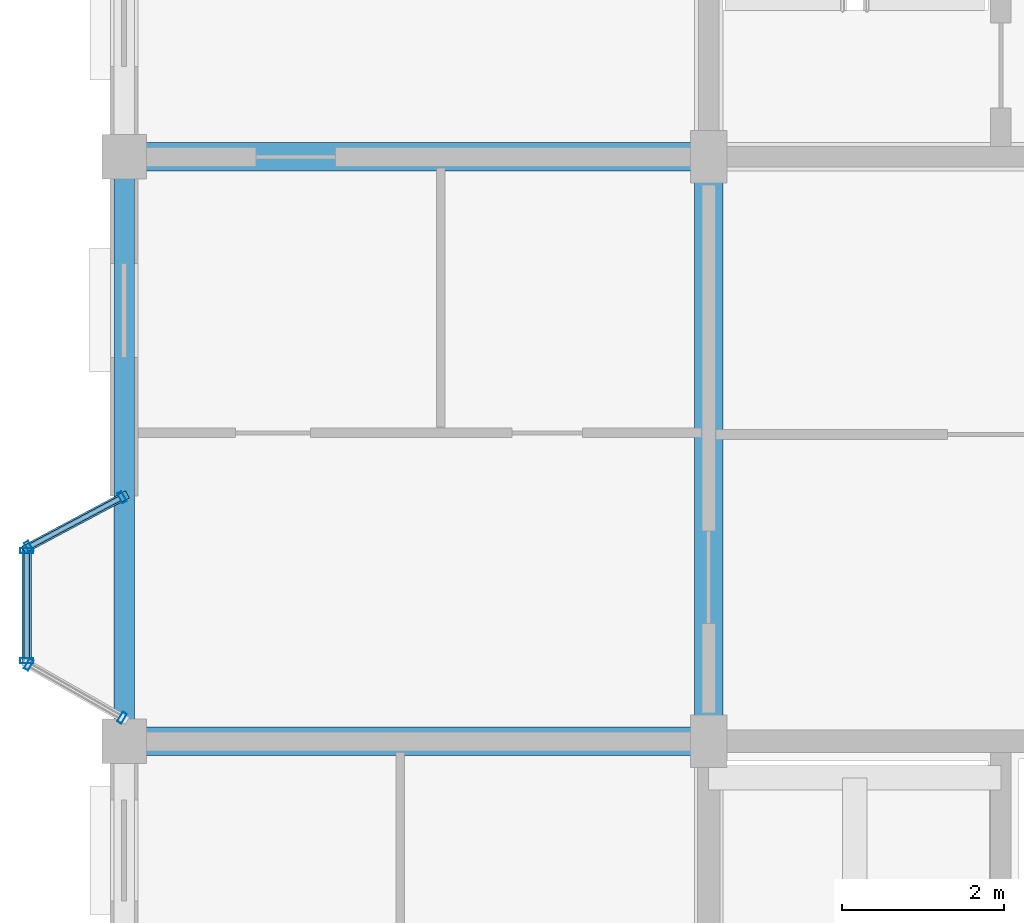
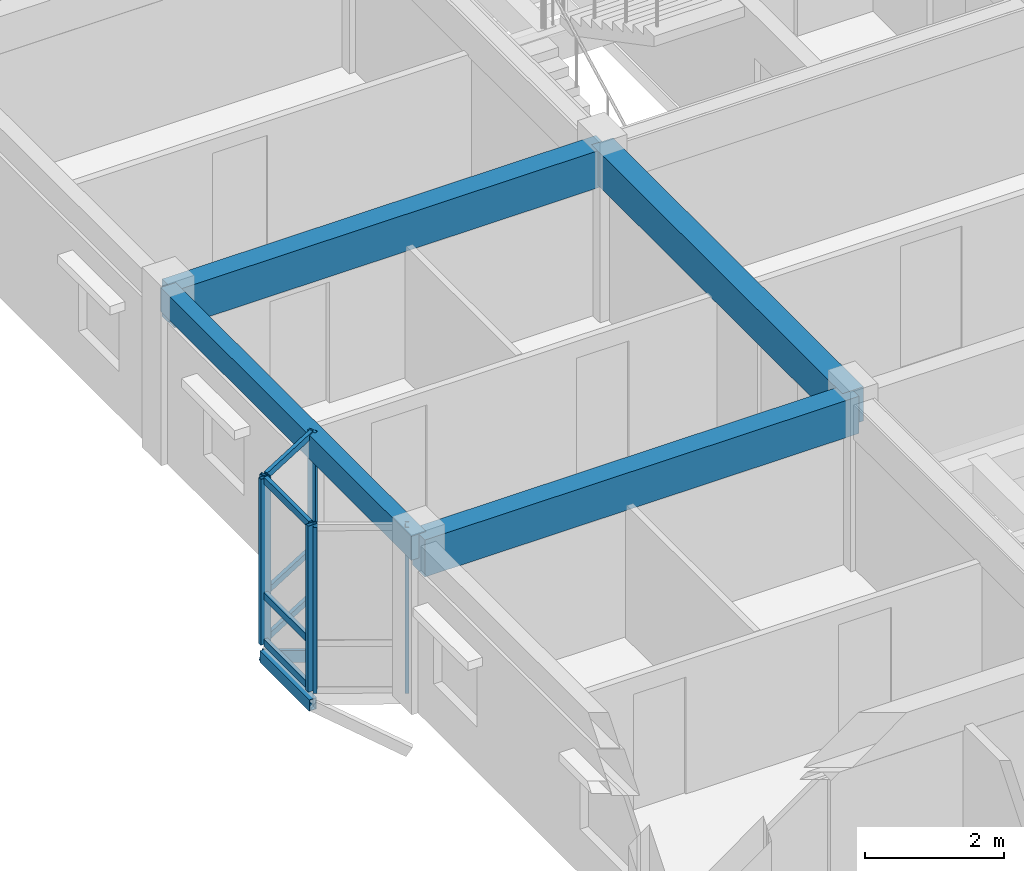
# One storey, part 17 of 79: 14 members, 4 beams, 3 elements without a shape of their own.
"""IFC4 building model written with IfcOpenShell, lengths in metres."""

from ifc_helpers import new_model, si_unit, direction, frame, origin, origin_2d, place, context, subcontext, project, spatial, rectangle, hollow_rectangle, extrude, material, layer, layer_set, material_profile, profile_set, type_object, element, aggregate, save


model = new_model("IFC4")

# Units and contexts
model_context = context("Model", 3, precision=1e-05, world=origin(), true_north=direction((0.0, 1.0)))
body_context = subcontext(model_context, "Body", "Model", "MODEL_VIEW")
ifc_project = project(units=[si_unit("LENGTHUNIT", "METRE"), si_unit("AREAUNIT", "SQUARE_METRE"), si_unit("VOLUMEUNIT", "CUBIC_METRE"), si_unit("PLANEANGLEUNIT", "RADIAN"), si_unit("MASSUNIT", "GRAM", prefix="KILO"), si_unit("THERMODYNAMICTEMPERATUREUNIT", "KELVIN"), si_unit("POWERUNIT", "WATT")], contexts=[model_context])

# Site, building, storey
site_placement = place(None, origin())
site = spatial("IfcSite", under=ifc_project, at=site_placement, CompositionType="ELEMENT")
building_placement = place(site_placement, origin())
building = spatial("IfcBuilding", under=site, at=building_placement, Name="Tavuni Mirador Residences", CompositionType="ELEMENT")
storey_placement = place(building_placement, frame((0.0, 0.0, 13.949951171875)))
storey = spatial("IfcBuildingStorey", under=building, at=storey_placement, Name="L04", CompositionType="ELEMENT", Elevation=13.949951171875)

# Beams
ifc_material_1 = material(Name="Precast concrete C40/50", Category="concrete")
ifc_material_profile_1 = material_profile(ifc_material_1, rectangle(XDim=0.35009765625, YDim=0.60009765625, at=origin_2d()), Name="PC 350x600", Category="concrete")
ifc_profile_set_1 = profile_set([ifc_material_profile_1], Name="Precast concrete C40/50")
beam_type_1 = type_object("IfcBeamType", Name="BT-B600", PredefinedType="BEAM", material=ifc_profile_set_1)
beam_1_placement = place(storey_placement, frame((10.800048828125, 79.199951171875, 2.610107421875), z_axis=(0.0, 1.0, 0.0), x_axis=(-1.0, 0.0, 0.0)))
element("IfcBeam", 1, at=beam_1_placement, inside=storey, type_object=beam_type_1, Name="BMY-BLK-B-L04-01-02", PredefinedType="BEAM", context=body_context, shape_type="SweptSolid", body=[
    extrude(rectangle(XDim=0.35009765625, YDim=0.60009765625, at=origin_2d()), origin(), (0.0, 0.0, 1.0), 7.199951171875),
])
ifc_material_profile_2 = material_profile(ifc_material_1, rectangle(XDim=0.35009765625, YDim=0.64990234375, at=origin_2d()), Name="PC 350x650", Category="concrete")
ifc_profile_set_2 = profile_set([ifc_material_profile_2], Name="Precast concrete C40/50")
beam_type_2 = type_object("IfcBeamType", Name="BT-B650", PredefinedType="BEAM", material=ifc_profile_set_2)
for number, where, z_axis, x_axis, name in (
    (2, (3.60009765625, 79.199951171875, 2.5849609375), (1.0, 0.0, 0.0), (0.0, 1.0, 0.0), "BMX-BLK-B-L04-00-02"),
    (3, (3.60009765625, 86.39990234375, 2.5849609375), (1.0, 0.0, 0.0), (0.0, 1.0, 0.0), "BMX-BLK-B-L04-00-03"),
):
    element("IfcBeam", number, at=place(storey_placement, frame(where, z_axis=z_axis, x_axis=x_axis)), inside=storey, type_object=beam_type_2, Name=name, PredefinedType="BEAM", context=body_context, shape_type="SweptSolid", body=[
        extrude(rectangle(XDim=0.35009765625, YDim=0.64990234375, at=origin_2d()), origin(), (0.0, 0.0, 1.0), 7.199951171875),
    ])
ifc_material_profile_3 = material_profile(ifc_material_1, rectangle(XDim=0.25, YDim=0.419921875, at=origin_2d()), Name="PC 250x420", Category="concrete")
ifc_profile_set_3 = profile_set([ifc_material_profile_3], Name="Precast concrete C40/50")
beam_type_3 = type_object("IfcBeamType", Name="BT-SP420", PredefinedType="SPANDREL", material=ifc_profile_set_3)
beam_2_placement = place(storey_placement, frame((3.60009765625, 79.199951171875, 2.699951171875), z_axis=(0.0, 1.0, 0.0), x_axis=(-1.0, 0.0, 0.0)))
element("IfcBeam", 4, at=beam_2_placement, inside=storey, type_object=beam_type_3, Name="BMY-BLK-B-L04-00-02", PredefinedType="SPANDREL", context=body_context, shape_type="SweptSolid", body=[
    extrude(rectangle(XDim=0.25, YDim=0.419921875, at=origin_2d()), origin(), (0.0, 0.0, 1.0), 7.199951171875),
])

# Curtain wall, members
ifc_material_2 = material(Name="Anodised aluminium", Category="aluminium")
ifc_layer_1 = layer(ifc_material_2, 0.175048828125, Name="Anodised aluminium", Category="aluminium")
ifc_layer_set_1 = layer_set([ifc_layer_1], Name="Anodised aluminium")
curtain_wall_type_1 = type_object("IfcCurtainWallType", Name="CWT-MIR-C", PredefinedType="NOTDEFINED", material=ifc_layer_set_1)
curtain_wall_1_placement = place(storey_placement, origin())
curtain_wall_1 = element("IfcCurtainWall", 5, at=curtain_wall_1_placement, inside=storey, type_object=curtain_wall_type_1, Name="CW-MIR-B-W2-L04-M1", PredefinedType="NOTDEFINED")
ifc_material_profile_4 = material_profile(ifc_material_2, hollow_rectangle(XDim=0.06005859375, YDim=0.139892578125, WallThickness=0.00390625, at=origin_2d()), Name="ALU 60x140x4.0", Category="aluminium")
ifc_profile_set_4 = profile_set([ifc_material_profile_4], Name="Anodised aluminium")
member_type_1 = type_object("IfcMemberType", Name="CWM-140", PredefinedType="MULLION", material=ifc_profile_set_4)
member_1_placement = place(storey_placement, frame((3.573486328125, 82.205810546875, 0.0), z_axis=(0.0, 0.0, 1.0), x_axis=(-0.882352941175, -0.470588235296, 0.0)))
member_1 = element("IfcMember", 6, at=member_1_placement, type_object=member_type_1, Name="CW-03 mullion 1", PredefinedType="MULLION", context=body_context, shape_type="SweptSolid", body=[
    extrude(hollow_rectangle(XDim=0.06005859375, YDim=0.139892578125, WallThickness=0.00390625, at=origin_2d()), origin(), (0.0, 0.0, 1.0), 2.91015625),
])
member_2_placement = place(storey_placement, frame((2.426513671875, 81.59423828125, 0.0), z_axis=(0.0, 0.0, 1.0), x_axis=(-0.882352941175, -0.470588235296, 0.0)))
member_2 = element("IfcMember", 7, at=member_2_placement, type_object=member_type_1, Name="CW-03 mullion 2", PredefinedType="MULLION", context=body_context, shape_type="SweptSolid", body=[
    extrude(hollow_rectangle(XDim=0.06005859375, YDim=0.139892578125, WallThickness=0.00390625, at=origin_2d()), origin(), (0.0, 0.0, 1.0), 2.91015625),
])

ifc_layer_2 = layer(ifc_material_2, 0.1650390625, Name="Anodised aluminium", Category="aluminium")
ifc_layer_set_2 = layer_set([ifc_layer_2], Name="Anodised aluminium")
curtain_wall_type_2 = type_object("IfcCurtainWallType", Name="CWT-MIR-A", PredefinedType="NOTDEFINED", material=ifc_layer_set_2)
curtain_wall_2_placement = place(storey_placement, origin())
curtain_wall_2 = element("IfcCurtainWall", 8, at=curtain_wall_2_placement, inside=storey, type_object=curtain_wall_type_2, Name="CW-MIR-B-W2-L04-M2", PredefinedType="NOTDEFINED")
member_3_placement = place(storey_placement, frame((2.426025390625, 80.14501953125, 0.0), z_axis=(0.0, 0.0, 1.0), x_axis=(0.868465738194, -0.495749192217, 0.0)))
member_3 = element("IfcMember", 9, at=member_3_placement, type_object=member_type_1, Name="CW-01 mullion 1", PredefinedType="MULLION", context=body_context, shape_type="SweptSolid", body=[
    extrude(hollow_rectangle(XDim=0.06005859375, YDim=0.139892578125, WallThickness=0.00390625, at=origin_2d()), origin(), (0.0, 0.0, 1.0), 2.91015625),
])
member_4_placement = place(storey_placement, frame((3.573974609375, 79.489990234375, 0.0), z_axis=(0.0, 0.0, 1.0), x_axis=(0.868465738194, -0.495749192217, 0.0)))
member_4 = element("IfcMember", 10, at=member_4_placement, type_object=member_type_1, Name="CW-01 mullion 2", PredefinedType="MULLION", context=body_context, shape_type="SweptSolid", body=[
    extrude(hollow_rectangle(XDim=0.06005859375, YDim=0.139892578125, WallThickness=0.00390625, at=origin_2d()), origin(), (0.0, 0.0, 1.0), 2.91015625),
])
aggregate(curtain_wall_2, [member_3, member_4])

ifc_layer_3 = layer(ifc_material_2, 0.159912109375, Name="Anodised aluminium", Category="aluminium")
ifc_layer_set_3 = layer_set([ifc_layer_3], Name="Anodised aluminium")
curtain_wall_type_3 = type_object("IfcCurtainWallType", Name="CWT-MIR-D", PredefinedType="NOTDEFINED", material=ifc_layer_set_3)
curtain_wall_3_placement = place(storey_placement, origin())
curtain_wall_3 = element("IfcCurtainWall", 11, at=curtain_wall_3_placement, inside=storey, type_object=curtain_wall_type_3, Name="CW-MIR-B-W2-L04-MF", PredefinedType="NOTDEFINED")
ifc_material_profile_5 = material_profile(ifc_material_2, hollow_rectangle(XDim=0.06494140625, YDim=0.1650390625, WallThickness=0.00439453125, at=origin_2d()), Name="ALU 65x165x4.5", Category="aluminium")
ifc_profile_set_5 = profile_set([ifc_material_profile_5], Name="Anodised aluminium")
member_type_2 = type_object("IfcMemberType", Name="CWM-165", PredefinedType="MULLION", material=ifc_profile_set_5)
member_5_placement = place(storey_placement, frame((2.39990234375, 81.547607421875, 0.0), z_axis=(0.0, 0.0, 1.0), x_axis=(0.0, -1.0, 0.0)))
member_5 = element("IfcMember", 12, at=member_5_placement, type_object=member_type_2, Name="CW-04 mullion 1", PredefinedType="MULLION", context=body_context, shape_type="SweptSolid", body=[
    extrude(hollow_rectangle(XDim=0.06494140625, YDim=0.1650390625, WallThickness=0.00439453125, at=origin_2d()), origin(), (0.0, 0.0, 1.0), 2.91015625),
])
member_6_placement = place(storey_placement, frame((2.39990234375, 80.1923828125, 0.0), z_axis=(0.0, 0.0, 1.0), x_axis=(0.0, -1.0, 0.0)))
member_6 = element("IfcMember", 13, at=member_6_placement, type_object=member_type_2, Name="CW-04 mullion 2", PredefinedType="MULLION", context=body_context, shape_type="SweptSolid", body=[
    extrude(hollow_rectangle(XDim=0.06494140625, YDim=0.1650390625, WallThickness=0.00439453125, at=origin_2d()), origin(), (0.0, 0.0, 1.0), 2.91015625),
])

# Member
ifc_material_profile_6 = material_profile(ifc_material_2, hollow_rectangle(XDim=0.06005859375, YDim=0.110107421875, WallThickness=0.00390625, at=origin_2d()), Name="ALU 60x110x4.0", Category="aluminium")
ifc_profile_set_6 = profile_set([ifc_material_profile_6], Name="Anodised aluminium")
member_type_3 = type_object("IfcMemberType", Name="CWT-110", PredefinedType="USERDEFINED", material=ifc_profile_set_6)
member_7_placement = place(storey_placement, frame((3.547119140625, 82.191650390625, 0.030029296875), z_axis=(-0.882385637708, -0.470526924168, 0.0), x_axis=(0.470526924168, -0.882385637708, 0.0)))
member_7 = element("IfcMember", 14, at=member_7_placement, type_object=member_type_3, Name="CW-03 transom 1.1", ObjectType="TRANSOM", PredefinedType="USERDEFINED", context=body_context, shape_type="SweptSolid", body=[
    extrude(hollow_rectangle(XDim=0.06005859375, YDim=0.110107421875, WallThickness=0.00390625, at=origin_2d()), origin(), (0.0, 0.0, 1.0), 1.239990234375),
])

member_8_placement = place(storey_placement, frame((3.547119140625, 82.191650390625, 0.85009765625), z_axis=(-0.882385637708, -0.470526924168, 0.0), x_axis=(0.470526924168, -0.882385637708, 0.0)))
member_8 = element("IfcMember", 15, at=member_8_placement, type_object=member_type_3, Name="CW-03 transom 1.2", ObjectType="TRANSOM", PredefinedType="USERDEFINED", context=body_context, shape_type="SweptSolid", body=[
    extrude(hollow_rectangle(XDim=0.06005859375, YDim=0.110107421875, WallThickness=0.00390625, at=origin_2d()), origin(), (0.0, 0.0, 1.0), 1.239990234375),
])

member_9_placement = place(storey_placement, frame((3.547119140625, 82.191650390625, 2.880126953125), z_axis=(-0.882385637708, -0.470526924168, 0.0), x_axis=(0.470526924168, -0.882385637708, 0.0)))
member_9 = element("IfcMember", 16, at=member_9_placement, type_object=member_type_3, Name="CW-03 transom 1.3", ObjectType="TRANSOM", PredefinedType="USERDEFINED", context=body_context, shape_type="SweptSolid", body=[
    extrude(hollow_rectangle(XDim=0.06005859375, YDim=0.110107421875, WallThickness=0.00390625, at=origin_2d()), origin(), (0.0, 0.0, 1.0), 1.239990234375),
])

aggregate(curtain_wall_1, [member_1, member_2, member_7, member_8, member_9])

ifc_material_profile_7 = material_profile(ifc_material_2, hollow_rectangle(XDim=0.06494140625, YDim=0.125, WallThickness=0.00439453125, at=origin_2d()), Name="ALU 65x125x4.5", Category="aluminium")
ifc_profile_set_7 = profile_set([ifc_material_profile_7], Name="Anodised aluminium")
member_type_4 = type_object("IfcMemberType", Name="CWT-125", PredefinedType="USERDEFINED", material=ifc_profile_set_7)
member_10_placement = place(storey_placement, frame((2.39990234375, 81.514892578125, 0.032470703125), z_axis=(0.0, -1.0, 0.0), x_axis=(1.0, 0.0, 0.0)))
member_10 = element("IfcMember", 17, at=member_10_placement, type_object=member_type_4, Name="CW-04 transom 1.1", ObjectType="TRANSOM", PredefinedType="USERDEFINED", context=body_context, shape_type="SweptSolid", body=[
    extrude(hollow_rectangle(XDim=0.06494140625, YDim=0.125, WallThickness=0.00439453125, at=origin_2d()), origin(), (0.0, 0.0, 1.0), 1.289794921875),
])

member_11_placement = place(storey_placement, frame((2.39990234375, 81.514892578125, 0.85009765625), z_axis=(0.0, -1.0, 0.0), x_axis=(1.0, 0.0, 0.0)))
member_11 = element("IfcMember", 18, at=member_11_placement, type_object=member_type_4, Name="CW-04 transom 1.2", ObjectType="TRANSOM", PredefinedType="USERDEFINED", context=body_context, shape_type="SweptSolid", body=[
    extrude(hollow_rectangle(XDim=0.06494140625, YDim=0.125, WallThickness=0.00439453125, at=origin_2d()), origin(), (0.0, 0.0, 1.0), 1.289794921875),
])

member_12_placement = place(storey_placement, frame((2.39990234375, 81.514892578125, 2.87744140625), z_axis=(0.0, -1.0, 0.0), x_axis=(1.0, 0.0, 0.0)))
member_12 = element("IfcMember", 19, at=member_12_placement, type_object=member_type_4, Name="CW-04 transom 1.3", ObjectType="TRANSOM", PredefinedType="USERDEFINED", context=body_context, shape_type="SweptSolid", body=[
    extrude(hollow_rectangle(XDim=0.06494140625, YDim=0.125, WallThickness=0.00439453125, at=origin_2d()), origin(), (0.0, 0.0, 1.0), 1.289794921875),
])

aggregate(curtain_wall_3, [member_5, member_6, member_10, member_11, member_12])

# Members
ifc_material_3 = material(Name="Structural steel S355", Category="steel")
ifc_material_profile_8 = material_profile(ifc_material_3, hollow_rectangle(XDim=0.10009765625, YDim=0.179931640625, WallThickness=0.008056640625, at=origin_2d()), Name="RHS 180x100x8.0", Category="steel")
ifc_profile_set_8 = profile_set([ifc_material_profile_8], Name="Structural steel S355")
member_type_5 = type_object("IfcMemberType", Name="MT-BR-RHS180", PredefinedType="BRACE", material=ifc_profile_set_8)
member_13_placement = place(storey_placement, frame((3.60009765625, 82.219970703125, -1.050048828125), z_axis=(-0.758141823808, -0.404208649349, 0.511699465296), x_axis=(0.470467115558, -0.882417527692, 0.0)))
element("IfcMember", 20, at=member_13_placement, inside=storey, type_object=member_type_5, Name="MBRK-MIR-B-W2-L04-2", PredefinedType="BRACE", context=body_context, shape_type="SweptSolid", body=[
    extrude(hollow_rectangle(XDim=0.10009765625, YDim=0.179931640625, WallThickness=0.008056640625, at=origin_2d()), origin(), (0.0, 0.0, 1.0), 1.5830078125),
])
ifc_material_profile_9 = material_profile(ifc_material_3, hollow_rectangle(XDim=0.1201171875, YDim=0.199951171875, WallThickness=0.010009765625, at=origin_2d()), Name="RHS 200x120x10.0", Category="steel")
ifc_profile_set_9 = profile_set([ifc_material_profile_9], Name="Structural steel S355")
member_type_6 = type_object("IfcMemberType", Name="MT-ST-RHS200", PredefinedType="STRUT", material=ifc_profile_set_9)
member_14_placement = place(storey_placement, frame((2.39990234375, 80.159912109375, -0.239990234375), z_axis=(0.0, 1.0, 0.0), x_axis=(-1.0, 0.0, 0.0)))
element("IfcMember", 21, at=member_14_placement, inside=storey, type_object=member_type_6, Name="MRIM-MIR-B-W2-L04", PredefinedType="STRUT", context=body_context, shape_type="SweptSolid", body=[
    extrude(hollow_rectangle(XDim=0.1201171875, YDim=0.199951171875, WallThickness=0.010009765625, at=origin_2d()), origin(), (0.0, 0.0, 1.0), 1.420166015625),
])

save(model, "model.ifc")
